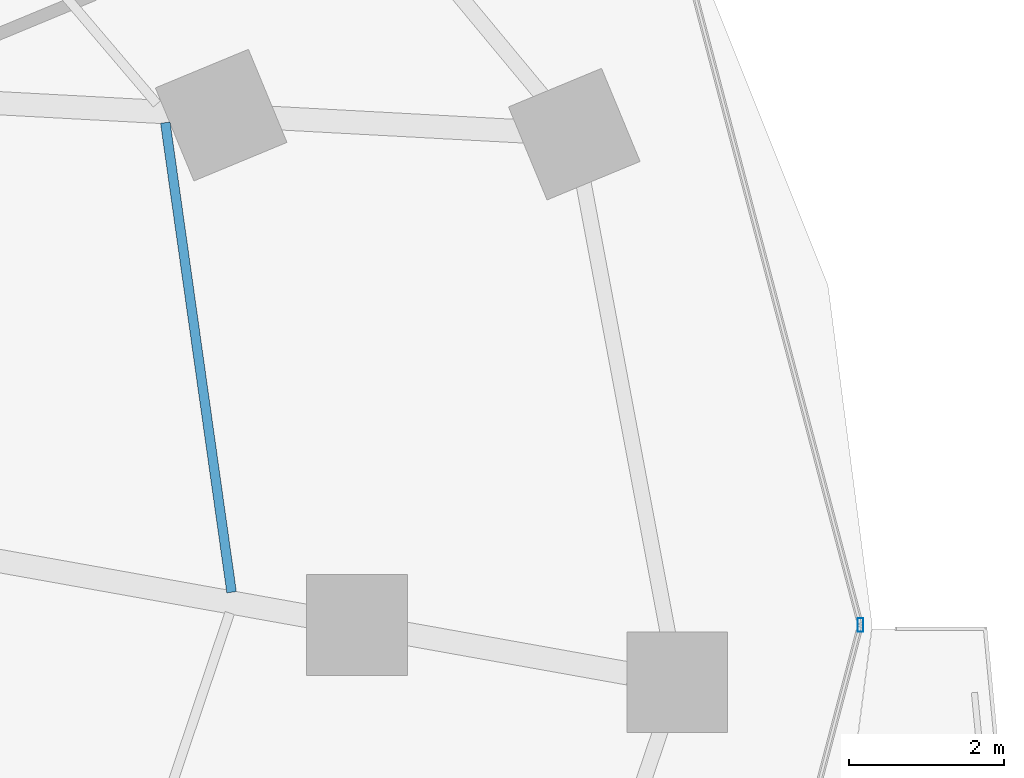
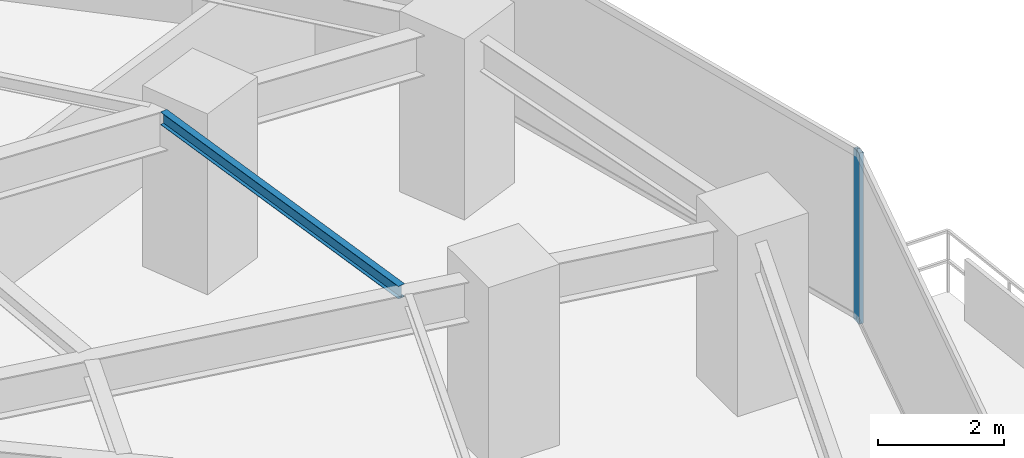
# One storey, part 16 of 35: 1 beam, 1 member, 1 element without a shape of its own.
"""IFC4 building model written with IfcOpenShell, lengths in metres."""

from ifc_helpers import new_model, si_unit, direction, frame, origin, origin_2d, place, context, subcontext, project, spatial, hollow_rectangle, i_section, extrude, material, material_profile, profile_set, type_object, element, aggregate, save


model = new_model("IFC4")

# Units and contexts
model_context = context("Model", 3, precision=1e-05, world=origin(), true_north=direction((0.0, 1.0)))
body_context = subcontext(model_context, "Body", "Model", "MODEL_VIEW")
ifc_project = project(units=[si_unit("LENGTHUNIT", "METRE"), si_unit("AREAUNIT", "SQUARE_METRE"), si_unit("VOLUMEUNIT", "CUBIC_METRE"), si_unit("PLANEANGLEUNIT", "RADIAN"), si_unit("MASSUNIT", "GRAM", prefix="KILO")], contexts=[model_context])

# Site, building, storey
site_placement = place(None, origin())
site = spatial("IfcSite", under=ifc_project, at=site_placement, CompositionType="ELEMENT")
building_placement = place(site_placement, origin())
building = spatial("IfcBuilding", under=site, at=building_placement, Name="Vorneva Point Tower", CompositionType="ELEMENT")
storey_placement = place(building_placement, frame((0.0, 0.0, 45.0)))
storey = spatial("IfcBuildingStorey", under=building, at=storey_placement, Name="L11", CompositionType="ELEMENT", Elevation=45.0)

# Beam
ifc_material_1 = material(Name="Steel S355", Category="steel")
ifc_material_profile_1 = material_profile(ifc_material_1, i_section(OverallWidth=0.1240234375, OverallDepth=0.248046875, WebThickness=0.0048828125, FlangeThickness=0.008056640625, at=origin_2d()), Name="25B1")
ifc_profile_set_1 = profile_set([ifc_material_profile_1], Name="Steel S355")
beam_type = type_object("IfcBeamType", Name="BM-JST-25B1", PredefinedType="JOIST", material=ifc_profile_set_1)
beam_placement = place(storey_placement, frame((59.429931640625, 26.4228515625, 3.115966796875), z_axis=(-0.139724043601, 0.990190482503, 0.0), x_axis=(-0.990190482503, -0.139724043601, 0.0)))
element("IfcBeam", 1, at=beam_placement, inside=storey, type_object=beam_type, Name="L11 Secondary Floor Beam 1.01", PredefinedType="JOIST", context=body_context, shape_type="SweptSolid", body=[
    extrude(i_section(OverallWidth=0.1240234375, OverallDepth=0.248046875, WebThickness=0.0048828125, FlangeThickness=0.008056640625, at=origin_2d()), origin(), (0.0, 0.0, 1.0), 6.12255859375),
])

# Curtain wall, member
ifc_material_2 = material(Name="Pale anodised aluminium", Category="aluminium")
curtain_wall_type = type_object("IfcCurtainWallType", Name="CW-HTL-SYS", PredefinedType="NOTDEFINED", material=ifc_material_2)
curtain_wall_placement = place(storey_placement, origin())
curtain_wall = element("IfcCurtainWall", 2, at=curtain_wall_placement, inside=storey, type_object=curtain_wall_type, Name="L11 Unitised Curtain Wall CW-L11-R01", PredefinedType="NOTDEFINED")
ifc_material_profile_2 = material_profile(ifc_material_2, hollow_rectangle(XDim=0.074951171875, YDim=0.179931640625, WallThickness=0.00390625, at=origin_2d()), Name="AL-MUL 180x75x4")
ifc_profile_set_2 = profile_set([ifc_material_profile_2], Name="Pale anodised aluminium")
member_type = type_object("IfcMemberType", Name="CW-MUL-180", PredefinedType="MULLION", material=ifc_profile_set_2)
member_placement = place(storey_placement, frame((67.550048828125, 26.0, -0.0400390625), z_axis=(0.0, 0.0, 1.0), x_axis=(1.0, 0.0, 0.0)))
member = element("IfcMember", 3, at=member_placement, type_object=member_type, Name="CW-L11-R01 Mullion 04", PredefinedType="MULLION", context=body_context, shape_type="SweptSolid", body=[
    extrude(hollow_rectangle(XDim=0.074951171875, YDim=0.179931640625, WallThickness=0.00390625, at=origin_2d()), origin(), (0.0, 0.0, 1.0), 3.31005859375),
])
aggregate(curtain_wall, [member])

save(model, "model.ifc")
